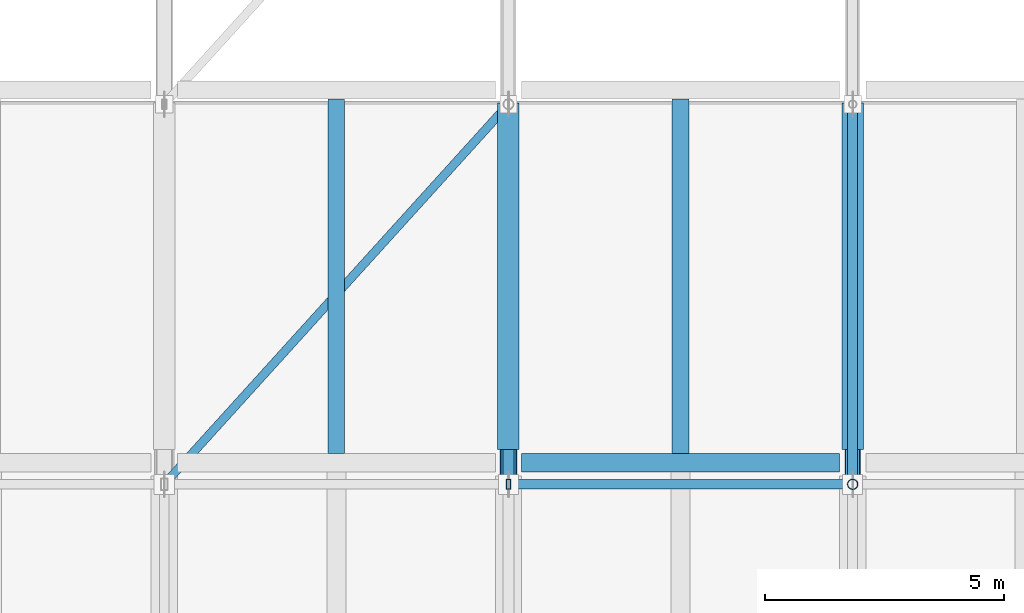
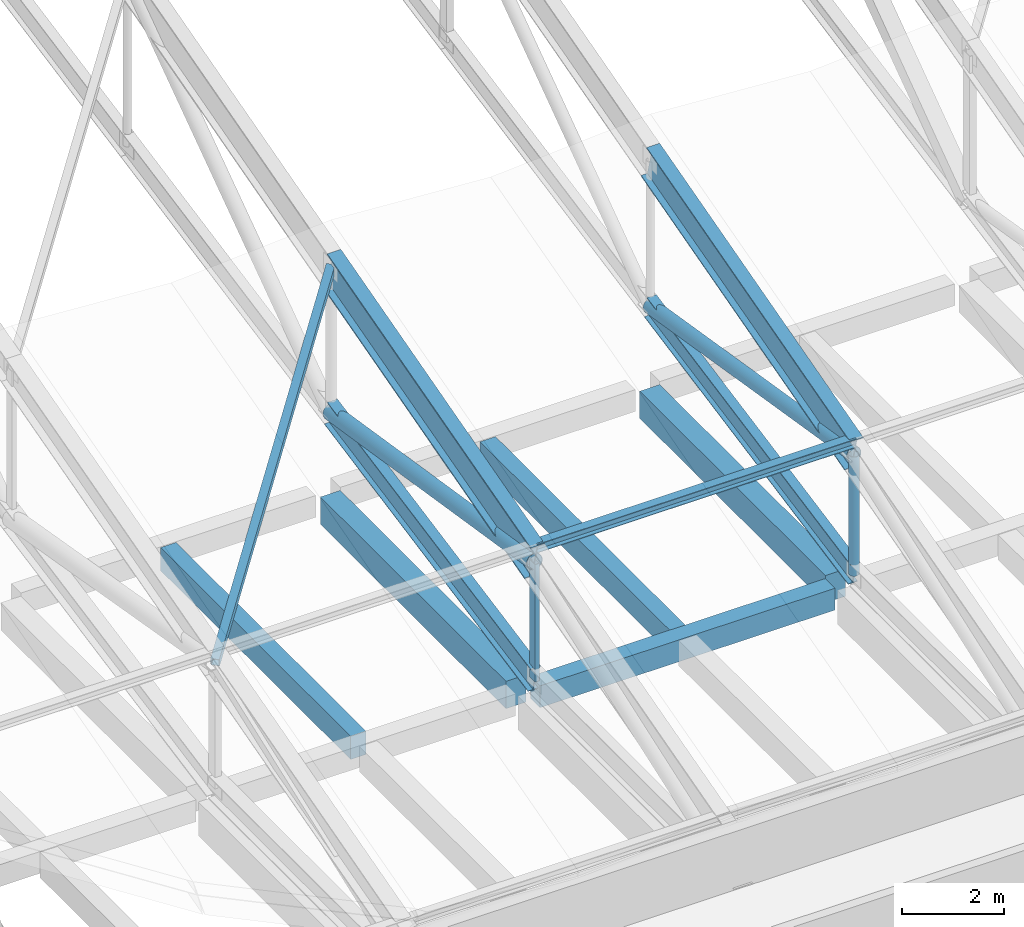
# One storey, part 8 of 53: 9 beams, 6 members.
"""IFC4 building model written with IfcOpenShell, lengths in metres."""

from ifc_helpers import new_model, si_unit, direction, frame, origin, origin_2d, place, context, subcontext, project, spatial, rectangle, hollow_rectangle, hollow_circle, i_section, extrude, material, material_profile, profile_set, type_object, element, save


model = new_model("IFC4")

# Units and contexts
model_context = context("Model", 3, precision=1e-05, world=origin(), true_north=direction((0.0, 1.0)))
body_context = subcontext(model_context, "Body", "Model", "MODEL_VIEW")
ifc_project = project(units=[si_unit("LENGTHUNIT", "METRE"), si_unit("AREAUNIT", "SQUARE_METRE"), si_unit("VOLUMEUNIT", "CUBIC_METRE"), si_unit("PLANEANGLEUNIT", "RADIAN"), si_unit("MASSUNIT", "GRAM", prefix="KILO")], contexts=[model_context])

# Site, building, storey
site_placement = place(None, origin())
site = spatial("IfcSite", under=ifc_project, at=site_placement, CompositionType="ELEMENT")
building_placement = place(site_placement, origin())
building = spatial("IfcBuilding", under=site, at=building_placement, Name="Pellamere Symphony Hall", CompositionType="ELEMENT")
storey_placement = place(building_placement, frame((0.0, 0.0, 24.0)))
storey = spatial("IfcBuildingStorey", under=building, at=storey_placement, Name="L05", CompositionType="ELEMENT", Elevation=24.0)

# Beams
ifc_material_1 = material(Name="Concrete 40 MPa", Category="concrete")
ifc_material_profile_1 = material_profile(ifc_material_1, rectangle(XDim=0.449951171875, YDim=0.64990234375, at=origin_2d()), Name="RC 450x650")
ifc_profile_set_1 = profile_set([ifc_material_profile_1], Name="Concrete 40 MPa")
beam_type_1 = type_object("IfcBeamType", Name="RC CB-08 450x650", PredefinedType="BEAM", material=ifc_profile_set_1)
for number, where, z_axis, x_axis, name in (
    (1, (87.60009765625, 38.675048828125, -0.5849609375), (0.0, 1.0, 0.0), (-1.0, 0.0, 0.0), "Girder CB-08-Y2093 (L05)"),
    (2, (94.800048828125, 38.675048828125, -0.5849609375), (0.0, 1.0, 0.0), (-1.0, 0.0, 0.0), "Girder CB-08-Y2095 (L05)"),
):
    element("IfcBeam", number, at=place(storey_placement, frame(where, z_axis=z_axis, x_axis=x_axis)), inside=storey, type_object=beam_type_1, Name=name, PredefinedType="BEAM", context=body_context, shape_type="SweptSolid", body=[
        extrude(rectangle(XDim=0.449951171875, YDim=0.64990234375, at=origin_2d()), origin(), (0.0, 0.0, 1.0), 7.25),
    ])
ifc_material_2 = material(Name="Concrete 35 MPa", Category="concrete")
ifc_material_profile_2 = material_profile(ifc_material_2, rectangle(XDim=0.35009765625, YDim=0.550048828125, at=origin_2d()), Name="RC 350x550")
ifc_profile_set_2 = profile_set([ifc_material_profile_2], Name="Concrete 35 MPa")
beam_type_2 = type_object("IfcBeamType", Name="RC CB-10 350x550", PredefinedType="BEAM", material=ifc_profile_set_2)
for number, where, z_axis, x_axis, name in (
    (3, (84.0, 38.590087890625, -0.550048828125), (0.0, 1.0, 0.0), (-1.0, 0.0, 0.0), "Secondary Floor Beam CB-10-M1005 (L05)"),
    (4, (91.199951171875, 38.590087890625, -0.550048828125), (0.0, 1.0, 0.0), (-1.0, 0.0, 0.0), "Secondary Floor Beam CB-10-M1105 (L05)"),
):
    element("IfcBeam", number, at=place(storey_placement, frame(where, z_axis=z_axis, x_axis=x_axis)), inside=storey, type_object=beam_type_2, Name=name, PredefinedType="BEAM", context=body_context, shape_type="SweptSolid", body=[
        extrude(rectangle(XDim=0.35009765625, YDim=0.550048828125, at=origin_2d()), origin(), (0.0, 0.0, 1.0), 7.419921875),
    ])
ifc_material_profile_3 = material_profile(ifc_material_1, rectangle(XDim=0.3798828125, YDim=0.52001953125, at=origin_2d()), Name="RC 380x520")
ifc_profile_set_3 = profile_set([ifc_material_profile_3], Name="Concrete 40 MPa")
beam_type_3 = type_object("IfcBeamType", Name="RC CB-21 380x520", PredefinedType="BEAM", material=ifc_profile_set_3)
beam_1_placement = place(storey_placement, frame((87.875, 38.39990234375, -0.52001953125), z_axis=(1.0, 0.0, 0.0), x_axis=(0.0, 1.0, 0.0)))
element("IfcBeam", 5, at=beam_1_placement, inside=storey, type_object=beam_type_3, Name="Girder CB-21-X2015 (L05)", PredefinedType="BEAM", context=body_context, shape_type="SweptSolid", body=[
    extrude(rectangle(XDim=0.3798828125, YDim=0.52001953125, at=origin_2d()), origin(), (0.0, 0.0, 1.0), 6.64990234375),
])
ifc_material_3 = material(Name="Steel CSA G40.21 350W", Category="steel")
ifc_material_profile_4 = material_profile(ifc_material_3, i_section(OverallWidth=0.30810546875, OverallDepth=0.927001953125, WebThickness=0.019287109375, FlangeThickness=0.031982421875, at=origin_2d()), Name="W920X289")
ifc_profile_set_4 = profile_set([ifc_material_profile_4], Name="Steel CSA G40.21 350W")
beam_type_4 = type_object("IfcBeamType", Name="Steel Beam SB-02 W920X289", PredefinedType="BEAM", material=ifc_profile_set_4)
beam_2_placement = place(storey_placement, frame((87.60009765625, 37.949951171875, 2.96142578125), z_axis=(0.0, 0.964082854885, 0.265601673408), x_axis=(-1.0, 0.0, 0.0)))
element("IfcBeam", 6, at=beam_2_placement, inside=storey, type_object=beam_type_4, Name="Roof Truss TR-05 Top Chord 2", PredefinedType="BEAM", context=body_context, shape_type="SweptSolid", body=[
    extrude(i_section(OverallWidth=0.30810546875, OverallDepth=0.927001953125, WebThickness=0.019287109375, FlangeThickness=0.031982421875, at=origin_2d()), origin(), (0.0, 0.0, 1.0), 8.24609375),
])
ifc_material_profile_5 = material_profile(ifc_material_3, i_section(OverallWidth=0.2939453125, OverallDepth=0.85107421875, WebThickness=0.01611328125, FlangeThickness=0.02685546875, at=origin_2d()), Name="W840X226")
ifc_profile_set_5 = profile_set([ifc_material_profile_5], Name="Steel CSA G40.21 350W")
beam_type_5 = type_object("IfcBeamType", Name="Steel Beam SB-04 W840X226", PredefinedType="BEAM", material=ifc_profile_set_5)
beam_3_placement = place(storey_placement, frame((94.800048828125, 37.949951171875, 2.99951171875), z_axis=(0.0, 0.964090435702, 0.265574154969), x_axis=(-1.0, 0.0, 0.0)))
element("IfcBeam", 7, at=beam_3_placement, inside=storey, type_object=beam_type_5, Name="Roof Truss TR-06 Top Chord 2", PredefinedType="BEAM", context=body_context, shape_type="SweptSolid", body=[
    extrude(i_section(OverallWidth=0.2939453125, OverallDepth=0.85107421875, WebThickness=0.01611328125, FlangeThickness=0.02685546875, at=origin_2d()), origin(), (0.0, 0.0, 1.0), 8.24609375),
])
ifc_material_profile_6 = material_profile(ifc_material_3, i_section(OverallWidth=0.22802734375, OverallDepth=0.60791015625, WebThickness=0.01123046875, FlangeThickness=0.017333984375, at=origin_2d()), Name="W610X113")
ifc_profile_set_6 = profile_set([ifc_material_profile_6], Name="Steel CSA G40.21 350W")
beam_type_6 = type_object("IfcBeamType", Name="Steel Beam SB-12 W610X113", PredefinedType="BEAM", material=ifc_profile_set_6)
beam_4_placement = place(storey_placement, frame((87.60009765625, 37.949951171875, 0.159912109375), z_axis=(0.0, 0.981591064498, 0.19099471746), x_axis=(-1.0, 0.0, 0.0)))
element("IfcBeam", 8, at=beam_4_placement, inside=storey, type_object=beam_type_6, Name="Roof Truss TR-05 Bottom Chord 2", PredefinedType="BEAM", context=body_context, shape_type="SweptSolid", body=[
    extrude(i_section(OverallWidth=0.22802734375, OverallDepth=0.60791015625, WebThickness=0.01123046875, FlangeThickness=0.017333984375, at=origin_2d()), origin(), (0.0, 0.0, 1.0), 8.09912109375),
])
ifc_material_profile_7 = material_profile(ifc_material_3, i_section(OverallWidth=0.2109375, OverallDepth=0.5390625, WebThickness=0.01171875, FlangeThickness=0.018798828125, at=origin_2d()), Name="W530X109")
ifc_profile_set_7 = profile_set([ifc_material_profile_7], Name="Steel CSA G40.21 350W")
beam_type_7 = type_object("IfcBeamType", Name="Steel Beam SB-14 W530X109", PredefinedType="BEAM", material=ifc_profile_set_7)
beam_5_placement = place(storey_placement, frame((94.800048828125, 37.949951171875, 0.159912109375), z_axis=(0.0, 0.981591064498, 0.19099471746), x_axis=(-1.0, 0.0, 0.0)))
element("IfcBeam", 9, at=beam_5_placement, inside=storey, type_object=beam_type_7, Name="Roof Truss TR-06 Bottom Chord 2", PredefinedType="BEAM", context=body_context, shape_type="SweptSolid", body=[
    extrude(i_section(OverallWidth=0.2109375, OverallDepth=0.5390625, WebThickness=0.01171875, FlangeThickness=0.018798828125, at=origin_2d()), origin(), (0.0, 0.0, 1.0), 8.09912109375),
])

# Members
ifc_material_profile_8 = material_profile(ifc_material_3, hollow_rectangle(XDim=0.177734375, YDim=0.177734375, WallThickness=0.009521484375, at=origin_2d()), Name="HSS178X178X10")
ifc_profile_set_8 = profile_set([ifc_material_profile_8], Name="Steel CSA G40.21 350W")
member_type_1 = type_object("IfcMemberType", Name="Steel Member SM-05 HSS178X178X10", PredefinedType="BRACE", material=ifc_profile_set_8)
member_1_placement = place(storey_placement, frame((80.39990234375, 37.949951171875, 3.077392578125), z_axis=(0.6590808152, 0.727710856685, 0.18986676407), x_axis=(-0.741193261843, 0.671291701571, 0.0)))
element("IfcMember", 10, at=member_1_placement, inside=storey, type_object=member_type_1, Name="Roof Truss Plan Wind Brace 4.1", PredefinedType="BRACE", context=body_context, shape_type="SweptSolid", body=[
    extrude(hollow_rectangle(XDim=0.177734375, YDim=0.177734375, WallThickness=0.009521484375, at=origin_2d()), origin(), (0.0, 0.0, 1.0), 10.924560546875),
])
ifc_material_profile_9 = material_profile(ifc_material_3, hollow_rectangle(XDim=0.1015625, YDim=0.203125, WallThickness=0.009521484375, at=origin_2d()), Name="HSS203X102X10")
ifc_profile_set_9 = profile_set([ifc_material_profile_9], Name="Steel CSA G40.21 350W")
member_type_2 = type_object("IfcMemberType", Name="Steel Member SM-08 HSS203X102X10", PredefinedType="STRUT", material=ifc_profile_set_9)
member_2_placement = place(storey_placement, frame((87.60009765625, 37.949951171875, 0.159912109375), z_axis=(0.0, 0.0, 1.0), x_axis=(1.0, 0.0, 0.0)))
element("IfcMember", 11, at=member_2_placement, inside=storey, type_object=member_type_2, Name="Roof Truss TR-05 Vertical Post 1", PredefinedType="STRUT", context=body_context, shape_type="SweptSolid", body=[
    extrude(hollow_rectangle(XDim=0.1015625, YDim=0.203125, WallThickness=0.009521484375, at=origin_2d()), origin(), (0.0, 0.0, 1.0), 2.801513671875),
])
ifc_material_profile_10 = material_profile(ifc_material_3, hollow_circle(Radius=0.177734375, WallThickness=0.0126953125, at=origin_2d()), Name="HSS356X13")
ifc_profile_set_10 = profile_set([ifc_material_profile_10], Name="Steel CSA G40.21 350W")
member_type_3 = type_object("IfcMemberType", Name="Steel Member SM-10 HSS356X13", PredefinedType="STRUT", material=ifc_profile_set_10)
member_3_placement = place(storey_placement, frame((87.60009765625, 37.949951171875, 2.96142578125), z_axis=(0.0, 0.987774768268, -0.155887803155), x_axis=(-1.0, 0.0, 0.0)))
element("IfcMember", 12, at=member_3_placement, inside=storey, type_object=member_type_3, Name="Roof Truss TR-05 Web Diagonal 2", PredefinedType="STRUT", context=body_context, shape_type="SweptSolid", body=[
    extrude(hollow_circle(Radius=0.177734375, WallThickness=0.0126953125, at=origin_2d()), origin(), (0.0, 0.0, 1.0), 8.04833984375),
])
ifc_material_profile_11 = material_profile(ifc_material_3, hollow_circle(Radius=0.161865234375, WallThickness=0.010986328125, at=origin_2d()), Name="HSS324X11")
ifc_profile_set_11 = profile_set([ifc_material_profile_11], Name="Steel CSA G40.21 350W")
member_type_4 = type_object("IfcMemberType", Name="Steel Member SM-11 HSS324X11", PredefinedType="BRACE", material=ifc_profile_set_11)
member_4_placement = place(storey_placement, frame((94.800048828125, 37.949951171875, 2.99951171875), z_axis=(0.0, 0.987035873002, -0.160499798776), x_axis=(-1.0, 0.0, 0.0)))
element("IfcMember", 13, at=member_4_placement, inside=storey, type_object=member_type_4, Name="Roof Truss TR-06 Web Diagonal 2", PredefinedType="BRACE", context=body_context, shape_type="SweptSolid", body=[
    extrude(hollow_circle(Radius=0.161865234375, WallThickness=0.010986328125, at=origin_2d()), origin(), (0.0, 0.0, 1.0), 8.054443359375),
])
ifc_material_profile_12 = material_profile(ifc_material_3, hollow_circle(Radius=0.109619140625, WallThickness=0.009521484375, at=origin_2d()), Name="HSS219X10")
ifc_profile_set_12 = profile_set([ifc_material_profile_12], Name="Steel CSA G40.21 350W")
member_type_5 = type_object("IfcMemberType", Name="Steel Member SM-13 HSS219X10", PredefinedType="STRUT", material=ifc_profile_set_12)
member_5_placement = place(storey_placement, frame((94.800048828125, 37.949951171875, 0.159912109375), z_axis=(0.0, 0.0, 1.0), x_axis=(1.0, 0.0, 0.0)))
element("IfcMember", 14, at=member_5_placement, inside=storey, type_object=member_type_5, Name="Roof Truss TR-06 Vertical Post 1", PredefinedType="STRUT", context=body_context, shape_type="SweptSolid", body=[
    extrude(hollow_circle(Radius=0.109619140625, WallThickness=0.009521484375, at=origin_2d()), origin(), (0.0, 0.0, 1.0), 2.839599609375),
])
ifc_material_profile_13 = material_profile(ifc_material_3, i_section(OverallWidth=0.2041015625, OverallDepth=0.2060546875, WebThickness=0.0078125, FlangeThickness=0.0126953125, at=origin_2d()), Name="W200X52")
ifc_profile_set_13 = profile_set([ifc_material_profile_13], Name="Steel CSA G40.21 350W")
member_type_6 = type_object("IfcMemberType", Name="Steel Member SM-15 W200X52", PredefinedType="PURLIN", material=ifc_profile_set_13)
member_6_placement = place(storey_placement, frame((87.60009765625, 37.949951171875, 3.322021484375), z_axis=(1.0, 0.0, 0.0), x_axis=(0.0, 1.0, 0.0)))
element("IfcMember", 15, at=member_6_placement, inside=storey, type_object=member_type_6, Name="Folded Roof Purlin 5.1", PredefinedType="PURLIN", context=body_context, shape_type="SweptSolid", body=[
    extrude(i_section(OverallWidth=0.2041015625, OverallDepth=0.2060546875, WebThickness=0.0078125, FlangeThickness=0.0126953125, at=origin_2d()), origin(), (0.0, 0.0, 1.0), 7.199951171875),
])

save(model, "model.ifc")
